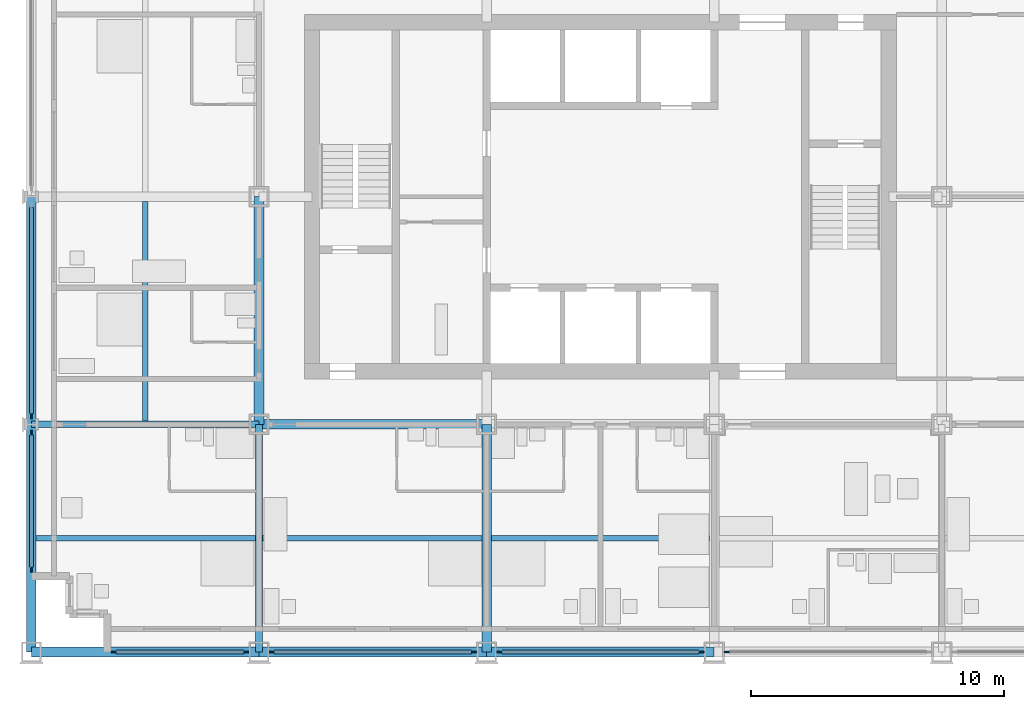
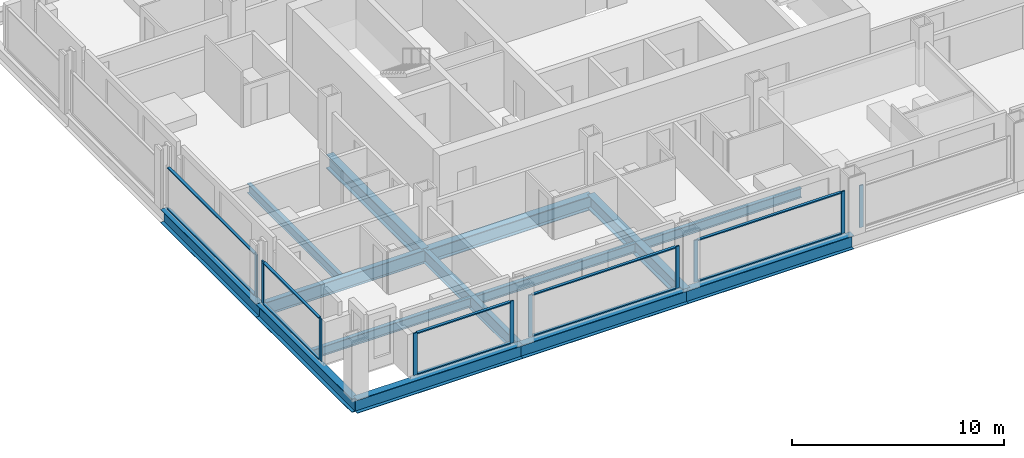
# One storey, part 2 of 18: 20 members, 14 beams, 6 elements without a shape of their own.
"""IFC4 building model written with IfcOpenShell, lengths in metres."""

from ifc_helpers import new_model, si_unit, direction, frame, origin, origin_2d, place, context, subcontext, project, spatial, rectangle, i_section, extrude, material, material_profile, profile_set, type_object, element, aggregate, save


model = new_model("IFC4")

# Units and contexts
model_context = context("Model", 3, precision=1e-05, world=origin(), true_north=direction((0.0, 1.0)))
body_context = subcontext(model_context, "Body", "Model", "MODEL_VIEW")
ifc_project = project(units=[si_unit("LENGTHUNIT", "METRE"), si_unit("AREAUNIT", "SQUARE_METRE"), si_unit("VOLUMEUNIT", "CUBIC_METRE"), si_unit("PLANEANGLEUNIT", "RADIAN"), si_unit("MASSUNIT", "GRAM", prefix="KILO")], contexts=[model_context])

# Site, building, storey
site_placement = place(None, origin())
site = spatial("IfcSite", under=ifc_project, at=site_placement, CompositionType="ELEMENT")
building_placement = place(site_placement, origin())
building = spatial("IfcBuilding", under=site, at=building_placement, Name="Loomwork Tower", CompositionType="ELEMENT")
storey_placement = place(building_placement, frame((0.0, 0.0, 62.0)))
storey = spatial("IfcBuildingStorey", under=building, at=storey_placement, Name="L15", CompositionType="ELEMENT", Elevation=62.0)

# Beams
ifc_material_1 = material(Name="Steel ASTM A992", Category="steel")
ifc_material_profile_1 = material_profile(ifc_material_1, i_section(OverallWidth=0.383544921875, OverallDepth=0.794921875, WebThickness=0.02099609375, FlangeThickness=0.0380859375, at=origin_2d()), Name="W30x235")
ifc_profile_set_1 = profile_set([ifc_material_profile_1], Name="Steel ASTM A992")
beam_type_1 = type_object("IfcBeamType", Name="CORE FLANK GIRDER W30x235", PredefinedType="BEAM", material=ifc_profile_set_1)
for number, where, z_axis, x_axis, name in (
    (1, (9.0, 9.0, -0.597412109375), (1.0, 0.0, 0.0), (0.0, 1.0, 0.0), "Core Flank Girder E/3-E/4 L15"),
    (2, (9.0, 9.0, -0.597412109375), (0.0, 1.0, 0.0), (-1.0, 0.0, 0.0), "Core Flank Girder E/3-F/3 L15"),
    (3, (18.0, 0.0, -0.597412109375), (0.0, 1.0, 0.0), (-1.0, 0.0, 0.0), "Core Flank Girder D/4-E/4 L15"),
):
    element("IfcBeam", number, at=place(storey_placement, frame(where, z_axis=z_axis, x_axis=x_axis)), inside=storey, type_object=beam_type_1, Name=name, PredefinedType="BEAM", context=body_context, shape_type="SweptSolid", body=[
        extrude(i_section(OverallWidth=0.383544921875, OverallDepth=0.794921875, WebThickness=0.02099609375, FlangeThickness=0.0380859375, at=origin_2d()), origin(), (0.0, 0.0, 1.0), 9.0),
    ])
ifc_material_2 = material(Name="Steel ASTM A992", Category="steel")
ifc_material_profile_2 = material_profile(ifc_material_2, i_section(OverallWidth=0.2666015625, OverallDepth=0.761962890625, WebThickness=0.014404296875, FlangeThickness=0.021484375, at=origin_2d()), Name="W30x116")
ifc_profile_set_2 = profile_set([ifc_material_profile_2], Name="Steel ASTM A992")
beam_type_2 = type_object("IfcBeamType", Name="FLOOR GIRDER W30x116", PredefinedType="BEAM", material=ifc_profile_set_2)
for number, where, z_axis, x_axis, name in (
    (4, (0.0, 9.0, -0.5810546875), (1.0, 0.0, 0.0), (0.0, 1.0, 0.0), "Floor Girder E/2-E/3 L15"),
    (5, (9.0, 0.0, -0.5810546875), (0.0, 1.0, 0.0), (-1.0, 0.0, 0.0), "Floor Girder D/3-E/3 L15"),
):
    element("IfcBeam", number, at=place(storey_placement, frame(where, z_axis=z_axis, x_axis=x_axis)), inside=storey, type_object=beam_type_2, Name=name, PredefinedType="BEAM", context=body_context, shape_type="SweptSolid", body=[
        extrude(i_section(OverallWidth=0.2666015625, OverallDepth=0.761962890625, WebThickness=0.014404296875, FlangeThickness=0.021484375, at=origin_2d()), origin(), (0.0, 0.0, 1.0), 9.0),
    ])
ifc_material_3 = material(Name="Steel ASTM A992", Category="steel")
ifc_material_profile_3 = material_profile(ifc_material_3, i_section(OverallWidth=0.2109375, OverallDepth=0.53857421875, WebThickness=0.011474609375, FlangeThickness=0.018798828125, at=origin_2d()), Name="W21x73")
ifc_profile_set_3 = profile_set([ifc_material_profile_3], Name="Steel ASTM A992")
beam_type_3 = type_object("IfcBeamType", Name="FLOOR JOIST W21x73", PredefinedType="JOIST", material=ifc_profile_set_3)
beam_1_placement = place(storey_placement, frame((0.18994140625, 4.5, -0.46923828125), z_axis=(1.0, 0.0, 0.0), x_axis=(0.0, 1.0, 0.0)))
element("IfcBeam", 6, at=beam_1_placement, inside=storey, type_object=beam_type_3, Name="Floor Joist 0.000,4.500-9.000,4.500 L15", PredefinedType="JOIST", context=body_context, shape_type="SweptSolid", body=[
    extrude(i_section(OverallWidth=0.2109375, OverallDepth=0.53857421875, WebThickness=0.011474609375, FlangeThickness=0.018798828125, at=origin_2d()), origin(), (0.0, 0.0, 1.0), 8.677001953125),
])
for number, where, z_axis, x_axis, name in (
    (7, (4.5, 9.133056640625, -0.46923828125), (0.0, 1.0, 0.0), (-1.0, 0.0, 0.0), "Floor Joist 4.500,9.000-4.500,18.000 L15"),
    (8, (9.133056640625, 4.5, -0.46923828125), (1.0, 0.0, 0.0), (0.0, 1.0, 0.0), "Floor Joist 9.000,4.500-18.000,4.500 L15"),
):
    element("IfcBeam", number, at=place(storey_placement, frame(where, z_axis=z_axis, x_axis=x_axis)), inside=storey, type_object=beam_type_3, Name=name, PredefinedType="JOIST", context=body_context, shape_type="SweptSolid", body=[
        extrude(i_section(OverallWidth=0.2109375, OverallDepth=0.53857421875, WebThickness=0.011474609375, FlangeThickness=0.018798828125, at=origin_2d()), origin(), (0.0, 0.0, 1.0), 8.676025390625),
    ])
beam_2_placement = place(storey_placement, frame((18.19091796875, 4.5, -0.46923828125), z_axis=(1.0, 0.0, 0.0), x_axis=(0.0, 1.0, 0.0)))
element("IfcBeam", 9, at=beam_2_placement, inside=storey, type_object=beam_type_3, Name="Floor Joist 18.000,4.500-27.000,4.500 L15", PredefinedType="JOIST", context=body_context, shape_type="SweptSolid", body=[
    extrude(i_section(OverallWidth=0.2109375, OverallDepth=0.53857421875, WebThickness=0.011474609375, FlangeThickness=0.018798828125, at=origin_2d()), origin(), (0.0, 0.0, 1.0), 8.6181640625),
])

# Curtain wall, members
ifc_material_4 = material(Name="Aluminium curtain wall frame", Category="aluminium")
curtain_wall_type = type_object("IfcCurtainWallType", Name="Outer skin glazing hotel", PredefinedType="NOTDEFINED", material=ifc_material_4)
curtain_wall_1_placement = place(storey_placement, origin())
curtain_wall_1 = element("IfcCurtainWall", 10, at=curtain_wall_1_placement, inside=storey, type_object=curtain_wall_type, Name="Outer skin glazing hotel cw/S-0", PredefinedType="NOTDEFINED")
ifc_material_5 = material(Name="Aluminium curtain wall frame", Category="aluminium")
ifc_material_profile_4 = material_profile(ifc_material_5, rectangle(XDim=0.06494140625, YDim=0.199951171875, at=origin_2d()), Name="AL 65x200")
ifc_profile_set_4 = profile_set([ifc_material_profile_4], Name="Aluminium curtain wall frame")
member_type_1 = type_object("IfcMemberType", Name="Outer skin glazing hotel mullion", PredefinedType="MULLION", material=ifc_profile_set_4)
member_1_placement = place(storey_placement, frame((3.25, 0.0, 0.0), z_axis=(0.0, 0.0, 1.0), x_axis=(0.0, 1.0, 0.0)))
member_1 = element("IfcMember", 11, at=member_1_placement, type_object=member_type_1, Name="CW1 mullion 1", PredefinedType="MULLION", context=body_context, shape_type="SweptSolid", body=[
    extrude(rectangle(XDim=0.06494140625, YDim=0.199951171875, at=origin_2d()), origin(), (0.0, 0.0, 1.0), 2.420166015625),
])
member_2_placement = place(storey_placement, frame((8.5, 0.0, 0.0), z_axis=(0.0, 0.0, 1.0), x_axis=(0.0, 1.0, 0.0)))
member_2 = element("IfcMember", 12, at=member_2_placement, type_object=member_type_1, Name="CW1 mullion 2", PredefinedType="MULLION", context=body_context, shape_type="SweptSolid", body=[
    extrude(rectangle(XDim=0.06494140625, YDim=0.199951171875, at=origin_2d()), origin(), (0.0, 0.0, 1.0), 2.420166015625),
])

curtain_wall_2_placement = place(storey_placement, origin())
curtain_wall_2 = element("IfcCurtainWall", 13, at=curtain_wall_2_placement, inside=storey, type_object=curtain_wall_type, Name="Outer skin glazing hotel cw/S-9", PredefinedType="NOTDEFINED")
member_3_placement = place(storey_placement, frame((9.5, 0.0, 0.0), z_axis=(0.0, 0.0, 1.0), x_axis=(0.0, 1.0, 0.0)))
member_3 = element("IfcMember", 14, at=member_3_placement, type_object=member_type_1, Name="CW1 mullion 1", PredefinedType="MULLION", context=body_context, shape_type="SweptSolid", body=[
    extrude(rectangle(XDim=0.06494140625, YDim=0.199951171875, at=origin_2d()), origin(), (0.0, 0.0, 1.0), 2.420166015625),
])
member_4_placement = place(storey_placement, frame((17.5, 0.0, 0.0), z_axis=(0.0, 0.0, 1.0), x_axis=(0.0, 1.0, 0.0)))
member_4 = element("IfcMember", 15, at=member_4_placement, type_object=member_type_1, Name="CW1 mullion 2", PredefinedType="MULLION", context=body_context, shape_type="SweptSolid", body=[
    extrude(rectangle(XDim=0.06494140625, YDim=0.199951171875, at=origin_2d()), origin(), (0.0, 0.0, 1.0), 2.420166015625),
])

curtain_wall_3_placement = place(storey_placement, origin())
curtain_wall_3 = element("IfcCurtainWall", 16, at=curtain_wall_3_placement, inside=storey, type_object=curtain_wall_type, Name="Outer skin glazing hotel cw/S-18", PredefinedType="NOTDEFINED")
member_5_placement = place(storey_placement, frame((18.5, 0.0, 0.0), z_axis=(0.0, 0.0, 1.0), x_axis=(0.0, 1.0, 0.0)))
member_5 = element("IfcMember", 17, at=member_5_placement, type_object=member_type_1, Name="CW1 mullion 1", PredefinedType="MULLION", context=body_context, shape_type="SweptSolid", body=[
    extrude(rectangle(XDim=0.06494140625, YDim=0.199951171875, at=origin_2d()), origin(), (0.0, 0.0, 1.0), 2.420166015625),
])
member_6_placement = place(storey_placement, frame((26.5, 0.0, 0.0), z_axis=(0.0, 0.0, 1.0), x_axis=(0.0, 1.0, 0.0)))
member_6 = element("IfcMember", 18, at=member_6_placement, type_object=member_type_1, Name="CW1 mullion 2", PredefinedType="MULLION", context=body_context, shape_type="SweptSolid", body=[
    extrude(rectangle(XDim=0.06494140625, YDim=0.199951171875, at=origin_2d()), origin(), (0.0, 0.0, 1.0), 2.420166015625),
])

# Curtain wall, member
curtain_wall_4_placement = place(storey_placement, origin())
curtain_wall_4 = element("IfcCurtainWall", 19, at=curtain_wall_4_placement, inside=storey, type_object=curtain_wall_type, Name="Outer skin glazing hotel cw/S-27", PredefinedType="NOTDEFINED")
member_7_placement = place(storey_placement, frame((27.5, 0.0, 0.0), z_axis=(0.0, 0.0, 1.0), x_axis=(0.0, 1.0, 0.0)))
member_7 = element("IfcMember", 20, at=member_7_placement, type_object=member_type_1, Name="CW1 mullion 1", PredefinedType="MULLION", context=body_context, shape_type="SweptSolid", body=[
    extrude(rectangle(XDim=0.06494140625, YDim=0.199951171875, at=origin_2d()), origin(), (0.0, 0.0, 1.0), 2.420166015625),
])
aggregate(curtain_wall_4, [member_7])

# Curtain wall, members
curtain_wall_5_placement = place(storey_placement, origin())
curtain_wall_5 = element("IfcCurtainWall", 21, at=curtain_wall_5_placement, inside=storey, type_object=curtain_wall_type, Name="Outer skin glazing hotel cw/W-0", PredefinedType="NOTDEFINED")
member_8_placement = place(storey_placement, frame((0.0, 8.672607421875, 0.0), z_axis=(0.0, 0.0, 1.0), x_axis=(1.0, 0.0, 0.0)))
member_8 = element("IfcMember", 22, at=member_8_placement, type_object=member_type_1, Name="CW1 mullion 1", PredefinedType="MULLION", context=body_context, shape_type="SweptSolid", body=[
    extrude(rectangle(XDim=0.06494140625, YDim=0.199951171875, at=origin_2d()), origin(), (0.0, 0.0, 1.0), 2.420166015625),
])
member_9_placement = place(storey_placement, frame((0.0, 3.25, 0.0), z_axis=(0.0, 0.0, 1.0), x_axis=(1.0, 0.0, 0.0)))
member_9 = element("IfcMember", 23, at=member_9_placement, type_object=member_type_1, Name="CW1 mullion 2", PredefinedType="MULLION", context=body_context, shape_type="SweptSolid", body=[
    extrude(rectangle(XDim=0.06494140625, YDim=0.199951171875, at=origin_2d()), origin(), (0.0, 0.0, 1.0), 2.420166015625),
])

# Curtain wall, member
curtain_wall_6_placement = place(storey_placement, origin())
curtain_wall_6 = element("IfcCurtainWall", 24, at=curtain_wall_6_placement, inside=storey, type_object=curtain_wall_type, Name="Outer skin glazing hotel cw/W-9", PredefinedType="NOTDEFINED")
member_10_placement = place(storey_placement, frame((0.0, 9.327392578125, 0.0), z_axis=(0.0, 0.0, 1.0), x_axis=(1.0, 0.0, 0.0)))
member_10 = element("IfcMember", 25, at=member_10_placement, type_object=member_type_1, Name="CW1 mullion 2", PredefinedType="MULLION", context=body_context, shape_type="SweptSolid", body=[
    extrude(rectangle(XDim=0.06494140625, YDim=0.199951171875, at=origin_2d()), origin(), (0.0, 0.0, 1.0), 2.420166015625),
])

# Member
ifc_material_6 = material(Name="Aluminium curtain wall frame", Category="aluminium")
ifc_material_profile_5 = material_profile(ifc_material_6, rectangle(XDim=0.14990234375, YDim=0.06494140625, at=origin_2d()), Name="AL 65x150")
ifc_profile_set_5 = profile_set([ifc_material_profile_5], Name="Aluminium curtain wall frame")
member_type_2 = type_object("IfcMemberType", Name="Outer skin glazing hotel transom", PredefinedType="USERDEFINED", material=ifc_profile_set_5)
member_11_placement = place(storey_placement, frame((3.35009765625, 0.0, 0.032470703125), z_axis=(1.0, 0.0, 0.0), x_axis=(0.0, 1.0, 0.0)))
member_11 = element("IfcMember", 26, at=member_11_placement, type_object=member_type_2, Name="CW1 transom 1.1", ObjectType="TRANSOM", PredefinedType="USERDEFINED", context=body_context, shape_type="SweptSolid", body=[
    extrude(rectangle(XDim=0.14990234375, YDim=0.06494140625, at=origin_2d()), origin(), (0.0, 0.0, 1.0), 5.0498046875),
])

member_12_placement = place(storey_placement, frame((3.35009765625, 0.0, 2.3876953125), z_axis=(1.0, 0.0, 0.0), x_axis=(0.0, 1.0, 0.0)))
member_12 = element("IfcMember", 27, at=member_12_placement, type_object=member_type_2, Name="CW1 transom 1.2", ObjectType="TRANSOM", PredefinedType="USERDEFINED", context=body_context, shape_type="SweptSolid", body=[
    extrude(rectangle(XDim=0.14990234375, YDim=0.06494140625, at=origin_2d()), origin(), (0.0, 0.0, 1.0), 5.0498046875),
])

aggregate(curtain_wall_1, [member_1, member_2, member_11, member_12])

member_13_placement = place(storey_placement, frame((9.60009765625, 0.0, 0.032470703125), z_axis=(1.0, 0.0, 0.0), x_axis=(0.0, 1.0, 0.0)))
member_13 = element("IfcMember", 28, at=member_13_placement, type_object=member_type_2, Name="CW1 transom 1.1", ObjectType="TRANSOM", PredefinedType="USERDEFINED", context=body_context, shape_type="SweptSolid", body=[
    extrude(rectangle(XDim=0.14990234375, YDim=0.06494140625, at=origin_2d()), origin(), (0.0, 0.0, 1.0), 7.7998046875),
])

member_14_placement = place(storey_placement, frame((9.60009765625, 0.0, 2.3876953125), z_axis=(1.0, 0.0, 0.0), x_axis=(0.0, 1.0, 0.0)))
member_14 = element("IfcMember", 29, at=member_14_placement, type_object=member_type_2, Name="CW1 transom 1.2", ObjectType="TRANSOM", PredefinedType="USERDEFINED", context=body_context, shape_type="SweptSolid", body=[
    extrude(rectangle(XDim=0.14990234375, YDim=0.06494140625, at=origin_2d()), origin(), (0.0, 0.0, 1.0), 7.7998046875),
])

aggregate(curtain_wall_2, [member_3, member_4, member_13, member_14])

member_15_placement = place(storey_placement, frame((18.60009765625, 0.0, 0.032470703125), z_axis=(1.0, 0.0, 0.0), x_axis=(0.0, 1.0, 0.0)))
member_15 = element("IfcMember", 30, at=member_15_placement, type_object=member_type_2, Name="CW1 transom 1.1", ObjectType="TRANSOM", PredefinedType="USERDEFINED", context=body_context, shape_type="SweptSolid", body=[
    extrude(rectangle(XDim=0.14990234375, YDim=0.06494140625, at=origin_2d()), origin(), (0.0, 0.0, 1.0), 7.7998046875),
])

member_16_placement = place(storey_placement, frame((18.60009765625, 0.0, 2.3876953125), z_axis=(1.0, 0.0, 0.0), x_axis=(0.0, 1.0, 0.0)))
member_16 = element("IfcMember", 31, at=member_16_placement, type_object=member_type_2, Name="CW1 transom 1.2", ObjectType="TRANSOM", PredefinedType="USERDEFINED", context=body_context, shape_type="SweptSolid", body=[
    extrude(rectangle(XDim=0.14990234375, YDim=0.06494140625, at=origin_2d()), origin(), (0.0, 0.0, 1.0), 7.7998046875),
])

aggregate(curtain_wall_3, [member_5, member_6, member_15, member_16])

member_17_placement = place(storey_placement, frame((0.0, 8.57275390625, 0.032470703125), z_axis=(0.0, -1.0, 0.0), x_axis=(1.0, 0.0, 0.0)))
member_17 = element("IfcMember", 32, at=member_17_placement, type_object=member_type_2, Name="CW1 transom 1.1", ObjectType="TRANSOM", PredefinedType="USERDEFINED", context=body_context, shape_type="SweptSolid", body=[
    extrude(rectangle(XDim=0.14990234375, YDim=0.06494140625, at=origin_2d()), origin(), (0.0, 0.0, 1.0), 5.22265625),
])

member_18_placement = place(storey_placement, frame((0.0, 8.57275390625, 2.3876953125), z_axis=(0.0, -1.0, 0.0), x_axis=(1.0, 0.0, 0.0)))
member_18 = element("IfcMember", 33, at=member_18_placement, type_object=member_type_2, Name="CW1 transom 1.2", ObjectType="TRANSOM", PredefinedType="USERDEFINED", context=body_context, shape_type="SweptSolid", body=[
    extrude(rectangle(XDim=0.14990234375, YDim=0.06494140625, at=origin_2d()), origin(), (0.0, 0.0, 1.0), 5.22265625),
])

aggregate(curtain_wall_5, [member_8, member_9, member_17, member_18])

member_19_placement = place(storey_placement, frame((0.0, 17.57275390625, 0.032470703125), z_axis=(0.0, -1.0, 0.0), x_axis=(1.0, 0.0, 0.0)))
member_19 = element("IfcMember", 34, at=member_19_placement, type_object=member_type_2, Name="CW1 transom 1.1", ObjectType="TRANSOM", PredefinedType="USERDEFINED", context=body_context, shape_type="SweptSolid", body=[
    extrude(rectangle(XDim=0.14990234375, YDim=0.06494140625, at=origin_2d()), origin(), (0.0, 0.0, 1.0), 8.1455078125),
])

member_20_placement = place(storey_placement, frame((0.0, 17.57275390625, 2.3876953125), z_axis=(0.0, -1.0, 0.0), x_axis=(1.0, 0.0, 0.0)))
member_20 = element("IfcMember", 35, at=member_20_placement, type_object=member_type_2, Name="CW1 transom 1.2", ObjectType="TRANSOM", PredefinedType="USERDEFINED", context=body_context, shape_type="SweptSolid", body=[
    extrude(rectangle(XDim=0.14990234375, YDim=0.06494140625, at=origin_2d()), origin(), (0.0, 0.0, 1.0), 8.1455078125),
])

aggregate(curtain_wall_6, [member_10, member_19, member_20])

# Beams
ifc_material_7 = material(Name="Steel ASTM A992", Category="steel")
ifc_material_profile_6 = material_profile(ifc_material_7, i_section(OverallWidth=0.381103515625, OverallDepth=0.77978515625, WebThickness=0.01806640625, FlangeThickness=0.0302734375, at=origin_2d()), Name="W30x191")
ifc_profile_set_6 = profile_set([ifc_material_profile_6], Name="Steel ASTM A992")
beam_type_4 = type_object("IfcBeamType", Name="SPANDREL GIRDER W30x191", PredefinedType="SPANDREL", material=ifc_profile_set_6)
for number, where, z_axis, x_axis, name in (
    (36, (0.0, 0.0, -0.58984375), (1.0, 0.0, 0.0), (0.0, 1.0, 0.0), "Spandrel Girder D/2-D/3 L15"),
    (37, (9.0, 0.0, -0.58984375), (1.0, 0.0, 0.0), (0.0, 1.0, 0.0), "Spandrel Girder D/3-D/4 L15"),
    (38, (18.0, 0.0, -0.58984375), (1.0, 0.0, 0.0), (0.0, 1.0, 0.0), "Spandrel Girder D/4-D/5 L15"),
    (39, (0.0, 0.0, -0.58984375), (0.0, 1.0, 0.0), (-1.0, 0.0, 0.0), "Spandrel Girder D/2-E/2 L15"),
    (40, (0.0, 9.0, -0.58984375), (0.0, 1.0, 0.0), (-1.0, 0.0, 0.0), "Spandrel Girder E/2-F/2 L15"),
):
    element("IfcBeam", number, at=place(storey_placement, frame(where, z_axis=z_axis, x_axis=x_axis)), inside=storey, type_object=beam_type_4, Name=name, PredefinedType="SPANDREL", context=body_context, shape_type="SweptSolid", body=[
        extrude(i_section(OverallWidth=0.381103515625, OverallDepth=0.77978515625, WebThickness=0.01806640625, FlangeThickness=0.0302734375, at=origin_2d()), origin(), (0.0, 0.0, 1.0), 9.0),
    ])

save(model, "model.ifc")
